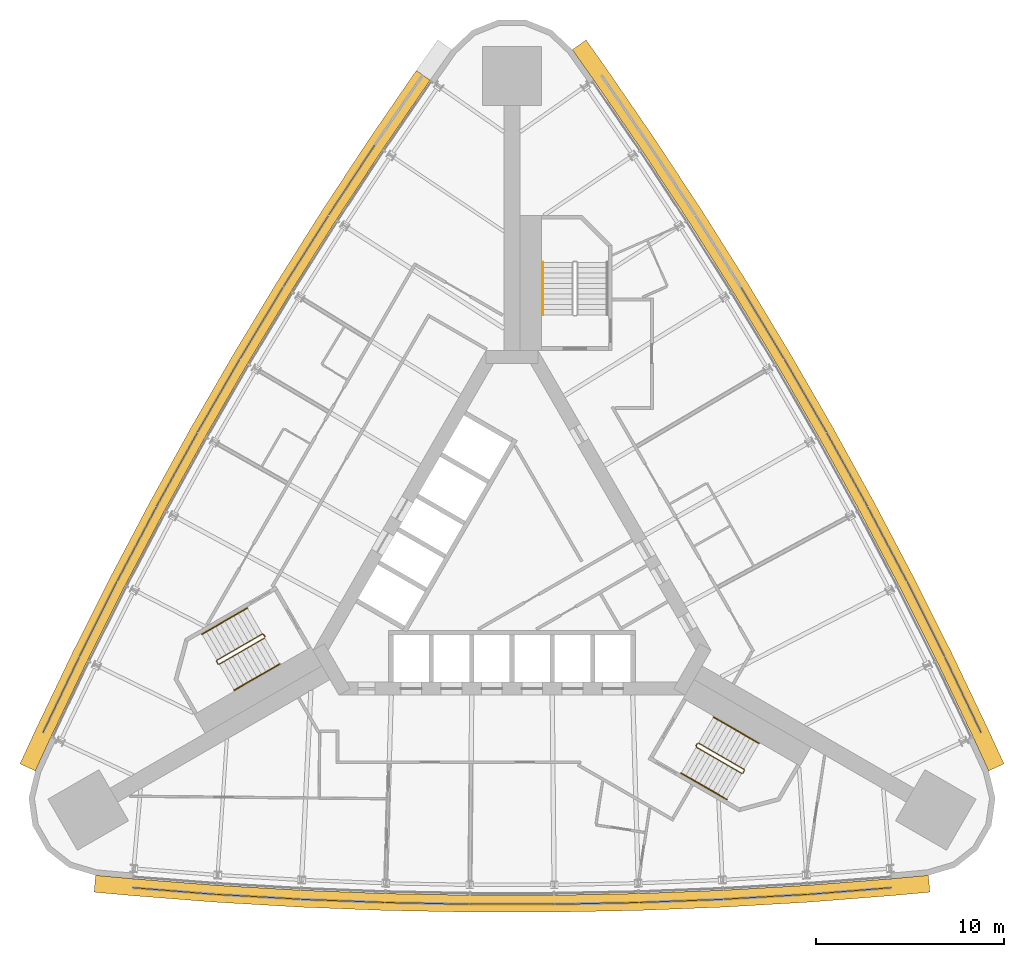
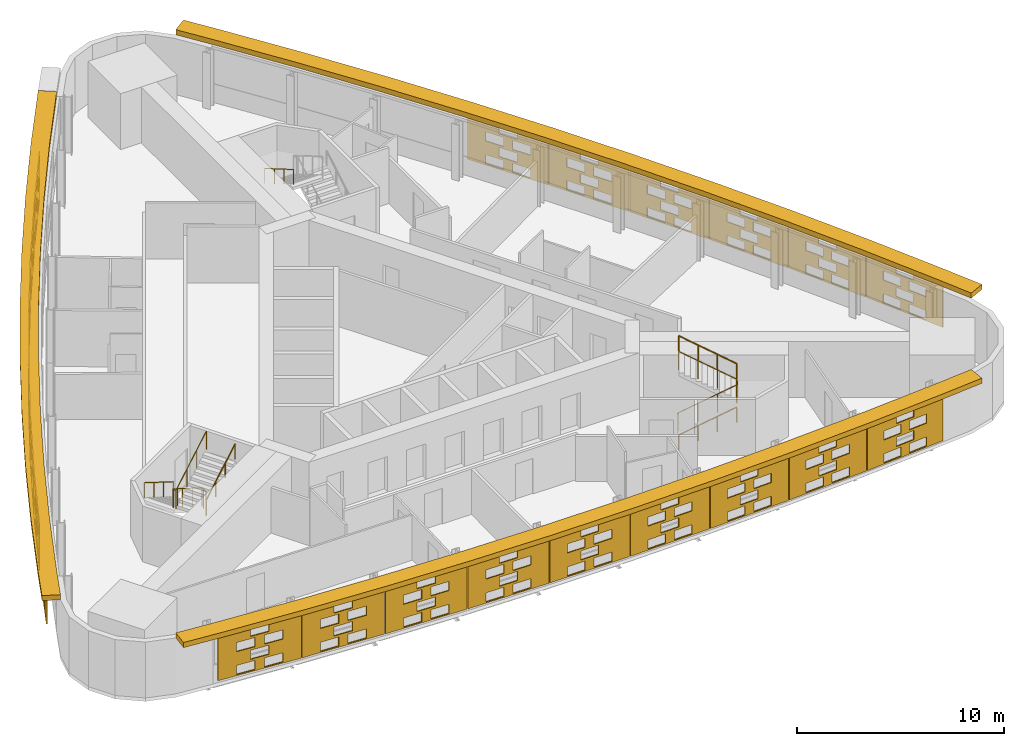
# One storey, part 12 of 13: 26 shading devices, 7 railings.
"""IFC4 building model written with IfcOpenShell, lengths in metres."""

import ifcopenshell
import ifcopenshell.guid

model = None  # the IFC model being written
_history = None  # IfcOwnerHistory: only IFC2X3 demands one
_inside = {}  # id of a spatial element -> (the spatial element, [elements in it])
_under = {}  # id of a project, library or spatial element -> (it, [spatial elements below it])
_declared = {}  # id of a project -> (the project, [libraries it declares])
_typed = {}  # id of a type object -> (the type object, [elements of that type])
_made_of = {}  # id of a material, layer set ... -> (it, [elements and type objects made of it])


def new_model(schema):
    """Start an empty IFC model of exactly this schema.

    Asked for "IFC4X3", IfcOpenShell would pick the latest addendum, in which some entities
    have other attributes; the version numbers below select the first issue.
    IFC2X3 requires an IfcOwnerHistory on every rooted entity: one is made here for all.
    """
    global model, _history
    if schema == "IFC4X3":
        model = ifcopenshell.file(schema_version=(4, 3, 0, 0))
    else:
        model = ifcopenshell.file(schema=schema)
    _inside.clear()
    _under.clear()
    _declared.clear()
    _typed.clear()
    _made_of.clear()
    _history = None
    if model.schema == "IFC2X3":
        org = make("IfcOrganization", Name="unknown")
        user = make(
            "IfcPersonAndOrganization",
            ThePerson=make("IfcPerson", FamilyName="unknown"),
            TheOrganization=org,
        )
        app = make(
            "IfcApplication",
            ApplicationDeveloper=org,
            Version="unknown",
            ApplicationFullName="unknown",
            ApplicationIdentifier="unknown",
        )
        _history = make(
            "IfcOwnerHistory",
            OwningUser=user,
            OwningApplication=app,
            ChangeAction="ADDED",
            CreationDate=0,
        )
    return model


def make(cls, **values):
    """One entity of the class cls with the attributes given. An attribute that is None is left unset."""
    return model.create_entity(
        cls, **{name: value for name, value in values.items() if value is not None}
    )


def rooted(cls, **values):
    """An entity with a GlobalId (a new one), such as an element, a storey or a relation."""
    return make(cls, GlobalId=ifcopenshell.guid.new(), OwnerHistory=_history, **values)


def si_unit(unit_type, name, prefix=None):
    """IfcSIUnit, for example si_unit("LENGTHUNIT", "METRE", prefix="MILLI")."""
    return make("IfcSIUnit", UnitType=unit_type, Prefix=prefix, Name=name)


def assignment(units):
    """IfcUnitAssignment: the units of a project."""
    return None if units is None else make("IfcUnitAssignment", Units=units)


def point(xyz):
    """IfcCartesianPoint."""
    return None if xyz is None else make("IfcCartesianPoint", Coordinates=xyz)


def direction(xyz):
    """IfcDirection."""
    return None if xyz is None else make("IfcDirection", DirectionRatios=xyz)


def frame(location, z_axis=None, x_axis=None):
    """IfcAxis2Placement3D, a coordinate frame: its origin and axes. An axis left out is left unset."""
    return make(
        "IfcAxis2Placement3D",
        Location=point(location),
        Axis=direction(z_axis),
        RefDirection=direction(x_axis),
    )


def frame_2d(location, x_axis=None):
    """IfcAxis2Placement2D, a coordinate frame in the plane: its origin and x axis."""
    return make(
        "IfcAxis2Placement2D", Location=point(location), RefDirection=direction(x_axis)
    )


def origin():
    """The frame at (0, 0, 0) with its axes left unset."""
    return frame((0.0, 0.0, 0.0))


def origin_2d():
    """The frame at (0, 0) in the plane with its x axis left unset."""
    return frame_2d((0.0, 0.0))


def place(relative_to, where):
    """IfcLocalPlacement: puts the frame where relative to a parent placement (None: the world)."""
    return make(
        "IfcLocalPlacement", PlacementRelTo=relative_to, RelativePlacement=where
    )


def context(
    kind, dimensions, precision=None, world=None, true_north=None, identifier=None
):
    """IfcGeometricRepresentationContext, for example the 3D "Model" context."""
    return make(
        "IfcGeometricRepresentationContext",
        ContextIdentifier=identifier,
        ContextType=kind,
        CoordinateSpaceDimension=dimensions,
        Precision=precision,
        WorldCoordinateSystem=world,
        TrueNorth=true_north,
    )


def subcontext(parent, identifier, kind, view, scale=None):
    """IfcGeometricRepresentationSubContext, for example "Body" below "Model"."""
    return make(
        "IfcGeometricRepresentationSubContext",
        ContextIdentifier=identifier,
        ContextType=kind,
        ParentContext=parent,
        TargetScale=scale,
        TargetView=view,
    )


def project(units=None, contexts=None):
    """IfcProject with its units and contexts."""
    return rooted(
        "IfcProject",
        Name="project",
        RepresentationContexts=contexts,
        UnitsInContext=assignment(units),
    )


def spatial(cls, under=None, at=None, **own):
    """A site, building, storey or space (cls), placed at a placement, below another one or the project."""
    s = rooted(cls, ObjectPlacement=at, **own)
    if under is not None:
        _under.setdefault(under.id(), (under, []))[1].append(s)
    return s


def polyline(points):
    """IfcPolyline through the points."""
    return make("IfcPolyline", Points=[point(p) for p in points])


def profile(cls, at=None, kind="AREA", **sizes):
    """A parametric profile (cls). Its sizes go by their IFC names, for example OverallWidth=200.0."""
    return make(cls, ProfileType=kind, Position=at, **sizes)


def circle(**sizes):
    """IfcCircleProfileDef."""
    return profile("IfcCircleProfileDef", **sizes)


def outline(outer, holes=None, kind="AREA"):
    """IfcArbitraryClosedProfileDef: a profile drawn as a closed curve; with holes, ...WithVoids."""
    if holes is None:
        return make("IfcArbitraryClosedProfileDef", ProfileType=kind, OuterCurve=outer)
    return make(
        "IfcArbitraryProfileDefWithVoids",
        ProfileType=kind,
        OuterCurve=outer,
        InnerCurves=holes,
    )


def extrude(swept, where, along, depth):
    """IfcExtrudedAreaSolid: the profile swept, set in the frame where, extruded along a direction by depth."""
    return make(
        "IfcExtrudedAreaSolid",
        SweptArea=swept,
        Position=where,
        ExtrudedDirection=direction(along),
        Depth=depth,
    )


def shape(context_of_items, identifier, shape_type, items):
    """IfcShapeRepresentation: the items that make up one representation, for example the "Body"."""
    return make(
        "IfcShapeRepresentation",
        ContextOfItems=context_of_items,
        RepresentationIdentifier=identifier,
        RepresentationType=shape_type,
        Items=items,
    )


def material(Name=None, Category=None):
    """IfcMaterial."""
    return make("IfcMaterial", Name=Name, Category=Category)


def material_profile(
    of_material, cross_section, Name=None, Category=None, Priority=None
):
    """IfcMaterialProfile: a cross section and its material."""
    return make(
        "IfcMaterialProfile",
        Name=Name,
        Material=of_material,
        Profile=cross_section,
        Priority=Priority,
        Category=Category,
    )


def profile_set(profiles, Name=None, composite=None):
    """IfcMaterialProfileSet."""
    return make(
        "IfcMaterialProfileSet",
        Name=Name,
        MaterialProfiles=profiles,
        CompositeProfile=composite,
    )


def made_of(thing, what):
    """Note that an element or type object is made of a material, layer set ...; save() writes the relation."""
    if what is not None:
        _made_of.setdefault(what.id(), (what, []))[1].append(thing)
    return thing


def type_object(cls, material=None, **own):
    """A type object (cls), such as IfcWallType, which elements share."""
    return made_of(rooted(cls, **own), material)


def element(
    cls,
    number,
    at=None,
    inside=None,
    cuts=None,
    type_object=None,
    material=None,
    context=None,
    identifier="Body",
    shape_type=None,
    held_by="IfcProductDefinitionShape",
    body=None,
    shapes=None,
    **own,
):
    """One element of the class cls, such as IfcWall. Its Tag is "e" and its number.

    at: its placement. inside: the storey or other place that contains it. cuts: it is an
    opening in that element (IfcRelVoidsElement). A single representation is given by context,
    identifier, shape_type and body (its items); several are given by shapes. held_by: the class
    of the entity that holds the representations. save() writes the other relations.
    """
    e = rooted(cls, Tag="e%d" % number, ObjectPlacement=at, **own)
    if body is not None:
        shapes = [shape(context, identifier, shape_type, body)]
    if shapes is not None:
        e.Representation = make(held_by, Representations=shapes)
    if inside is not None:
        _inside.setdefault(inside.id(), (inside, []))[1].append(e)
    if cuts is not None:
        rooted(
            "IfcRelVoidsElement", RelatingBuildingElement=cuts, RelatedOpeningElement=e
        )
    if type_object is not None:
        _typed.setdefault(type_object.id(), (type_object, []))[1].append(e)
    return made_of(e, material)


def aggregate(whole, parts):
    """IfcRelAggregates: a whole, such as a stair, and the parts it consists of."""
    return rooted("IfcRelAggregates", RelatingObject=whole, RelatedObjects=parts)


def save(model, path):
    """Write the relations noted so far, then the file.

    IfcRelAggregates (storeys below a building ...), IfcRelContainedInSpatialStructure (elements
    in a storey), IfcRelDefinesByType, IfcRelAssociatesMaterial and IfcRelDeclares: one each for
    every whole, place, type object, material and project.
    """
    for whole, parts in _under.values():
        aggregate(whole, parts)
    for where, things in _inside.values():
        rooted(
            "IfcRelContainedInSpatialStructure",
            RelatedElements=things,
            RelatingStructure=where,
        )
    for kind, things in _typed.values():
        rooted("IfcRelDefinesByType", RelatedObjects=things, RelatingType=kind)
    for what, things in _made_of.values():
        rooted("IfcRelAssociatesMaterial", RelatedObjects=things, RelatingMaterial=what)
    for by, libraries in _declared.values():
        rooted("IfcRelDeclares", RelatingContext=by, RelatedDefinitions=libraries)
    model.write(path)


model = new_model("IFC4")

# Units and contexts
model_context = context("Model", 3, precision=1e-05, world=origin(), true_north=direction((0.0, 1.0)))
body_context = subcontext(model_context, "Body", "Model", "MODEL_VIEW")
ifc_project = project(units=[si_unit("LENGTHUNIT", "METRE"), si_unit("AREAUNIT", "SQUARE_METRE"), si_unit("VOLUMEUNIT", "CUBIC_METRE"), si_unit("PLANEANGLEUNIT", "RADIAN"), si_unit("MASSUNIT", "GRAM", prefix="KILO")], contexts=[model_context])

# Site, building, storey
site_placement = place(None, origin())
site = spatial("IfcSite", under=ifc_project, at=site_placement, CompositionType="ELEMENT")
building_placement = place(site_placement, origin())
building = spatial("IfcBuilding", under=site, at=building_placement, Name="Noor Cloister Tower", CompositionType="ELEMENT")
storey_placement = place(building_placement, frame((0.0, 0.0, 83.39990234375)))
storey = spatial("IfcBuildingStorey", under=building, at=storey_placement, Name="L21", CompositionType="ELEMENT", Elevation=83.39990234375)

# Shading devices
ifc_material_1 = material(Name="Limestone", Category="masonry")
ifc_material_profile = material_profile(ifc_material_1, outline(polyline([(-2.22998046875, -1.35009765625), (2.22998046875, -1.35009765625), (2.22998046875, 1.35009765625), (-2.22998046875, 1.35009765625), (-2.22998046875, -1.35009765625)]), holes=[polyline([(-1.25, -1.282470703125), (-0.25, -1.282470703125), (-0.25, -0.742431640625), (-1.25, -0.742431640625), (-1.25, -1.282470703125)]), polyline([(0.25, -1.282470703125), (1.25, -1.282470703125), (1.25, -0.742431640625), (0.25, -0.742431640625), (0.25, -1.282470703125)]), polyline([(-0.5, -0.607421875), (0.5, -0.607421875), (0.5, -0.0673828125), (-0.5, -0.0673828125), (-0.5, -0.607421875)]), polyline([(-1.25, 0.0673828125), (-0.25, 0.0673828125), (-0.25, 0.607421875), (-1.25, 0.607421875), (-1.25, 0.0673828125)]), polyline([(0.25, 0.0673828125), (1.25, 0.0673828125), (1.25, 0.607421875), (0.25, 0.607421875), (0.25, 0.0673828125)]), polyline([(-0.5, 0.742431640625), (0.5, 0.742431640625), (0.5, 1.282470703125), (-0.5, 1.282470703125), (-0.5, 0.742431640625)])]), Name="Woven screen 28 percent open")
ifc_profile_set = profile_set([ifc_material_profile], Name="Limestone")
shading_device_type_1 = type_object("IfcShadingDeviceType", Name="SCREEN woven limestone 28 percent open", PredefinedType="USERDEFINED", material=ifc_profile_set)
for number, where, z_axis, x_axis, name in (
    (1, (-8.523681640625, 20.5302734375, 1.85009765625), (-0.83517086482, 0.549990569516, 0.0), (-0.549990569516, -0.83517086482, 0.0), "SCREEN L21 2"),
    (2, (-10.96533203125, 16.740234375, 1.85009765625), (-0.845003547232, 0.534760698973, 0.0), (-0.534760698973, -0.845003547232, 0.0), "SCREEN L21 3"),
):
    element("IfcShadingDevice", number, at=place(storey_placement, frame(where, z_axis=z_axis, x_axis=x_axis)), inside=storey, type_object=shading_device_type_1, Name=name, ObjectType="SCREEN", PredefinedType="USERDEFINED", context=body_context, shape_type="SweptSolid", body=[
        extrude(outline(polyline([(-2.22998046875, -1.35009765625), (2.22998046875, -1.35009765625), (2.22998046875, 1.35009765625), (-2.22998046875, 1.35009765625), (-2.22998046875, -1.35009765625)]), holes=[polyline([(-1.25, -1.282470703125), (-0.25, -1.282470703125), (-0.25, -0.742431640625), (-1.25, -0.742431640625), (-1.25, -1.282470703125)]), polyline([(0.25, -1.282470703125), (1.25, -1.282470703125), (1.25, -0.742431640625), (0.25, -0.742431640625), (0.25, -1.282470703125)]), polyline([(-0.5, -0.607421875), (0.5, -0.607421875), (0.5, -0.0673828125), (-0.5, -0.0673828125), (-0.5, -0.607421875)]), polyline([(-1.25, 0.0673828125), (-0.25, 0.0673828125), (-0.25, 0.607421875), (-1.25, 0.607421875), (-1.25, 0.0673828125)]), polyline([(0.25, 0.0673828125), (1.25, 0.0673828125), (1.25, 0.607421875), (0.25, 0.607421875), (0.25, 0.0673828125)]), polyline([(-0.5, 0.742431640625), (0.5, 0.742431640625), (0.5, 1.282470703125), (-0.5, 1.282470703125), (-0.5, 0.742431640625)])]), origin(), (0.0, 0.0, 1.0), 0.059814453125),
    ])
for number, where, z_axis, x_axis, name in (
    (3, (-13.33251953125, 12.9033203125, 1.85009765625), (-0.856775526833, 0.515689535108, 0.0), (-0.515689535108, -0.856775526833, 0.0), "SCREEN L21 4"),
    (4, (-15.624755859375, 9.02099609375, 1.85009765625), (-0.865982457891, 0.500074377092, 0.0), (-0.500074377092, -0.865982457891, 0.0), "SCREEN L21 5"),
    (5, (-17.8408203125, 5.0947265625, 1.85009765625), (-0.874923997532, 0.484260259099, 0.0), (-0.484260259099, -0.874923997532, 0.0), "SCREEN L21 6"),
    (6, (-19.97998046875, 1.1259765625, 1.85009765625), (-0.88447777995, 0.466582315111, 0.0), (-0.466582315111, -0.88447777995, 0.0), "SCREEN L21 7"),
    (7, (-22.04150390625, -2.883544921875, 1.85009765625), (-0.894427191, 0.4472135955, 0.0), (-0.4472135955, -0.894427191, 0.0), "SCREEN L21 8"),
):
    element("IfcShadingDevice", number, at=place(storey_placement, frame(where, z_axis=z_axis, x_axis=x_axis)), inside=storey, type_object=shading_device_type_1, Name=name, ObjectType="SCREEN", PredefinedType="USERDEFINED", context=body_context, shape_type="SweptSolid", body=[
        extrude(outline(polyline([(-2.22998046875, -1.35009765625), (2.22998046875, -1.35009765625), (2.22998046875, 1.35009765625), (-2.22998046875, 1.35009765625), (-2.22998046875, -1.35009765625)]), holes=[polyline([(-1.25, -1.282470703125), (-0.25, -1.282470703125), (-0.25, -0.742431640625), (-1.25, -0.742431640625), (-1.25, -1.282470703125)]), polyline([(0.25, -1.282470703125), (1.25, -1.282470703125), (1.25, -0.742431640625), (0.25, -0.742431640625), (0.25, -1.282470703125)]), polyline([(-0.5, -0.607421875), (0.5, -0.607421875), (0.5, -0.0673828125), (-0.5, -0.0673828125), (-0.5, -0.607421875)]), polyline([(-1.25, 0.0673828125), (-0.25, 0.0673828125), (-0.25, 0.607421875), (-1.25, 0.607421875), (-1.25, 0.0673828125)]), polyline([(0.25, 0.0673828125), (1.25, 0.0673828125), (1.25, 0.607421875), (0.25, 0.607421875), (0.25, 0.0673828125)]), polyline([(-0.5, 0.742431640625), (0.5, 0.742431640625), (0.5, 1.282470703125), (-0.5, 1.282470703125), (-0.5, 0.742431640625)])]), origin(), (0.0, 0.0, 1.0), 0.06005859375),
    ])
shading_device_1_placement = place(storey_placement, frame((-24.024658203125, -6.932373046875, 1.85009765625), z_axis=(-0.901650348454, 0.432465777991, 0.0), x_axis=(-0.432465777991, -0.901650348454, 0.0)))
element("IfcShadingDevice", 8, at=shading_device_1_placement, inside=storey, type_object=shading_device_type_1, Name="SCREEN L21 9", ObjectType="SCREEN", PredefinedType="USERDEFINED", context=body_context, shape_type="SweptSolid", body=[
    extrude(outline(polyline([(-2.22998046875, -1.35009765625), (2.22998046875, -1.35009765625), (2.22998046875, 1.35009765625), (-2.22998046875, 1.35009765625), (-2.22998046875, -1.35009765625)]), holes=[polyline([(-1.25, -1.282470703125), (-0.25, -1.282470703125), (-0.25, -0.742431640625), (-1.25, -0.742431640625), (-1.25, -1.282470703125)]), polyline([(0.25, -1.282470703125), (1.25, -1.282470703125), (1.25, -0.742431640625), (0.25, -0.742431640625), (0.25, -1.282470703125)]), polyline([(-0.5, -0.607421875), (0.5, -0.607421875), (0.5, -0.0673828125), (-0.5, -0.0673828125), (-0.5, -0.607421875)]), polyline([(-1.25, 0.0673828125), (-0.25, 0.0673828125), (-0.25, 0.607421875), (-1.25, 0.607421875), (-1.25, 0.0673828125)]), polyline([(0.25, 0.0673828125), (1.25, 0.0673828125), (1.25, 0.607421875), (0.25, 0.607421875), (0.25, 0.0673828125)]), polyline([(-0.5, 0.742431640625), (0.5, 0.742431640625), (0.5, 1.282470703125), (-0.5, 1.282470703125), (-0.5, 0.742431640625)])]), origin(), (0.0, 0.0, 1.0), 0.059814453125),
])
for number, where, z_axis, x_axis, name in (
    (9, (-18.015869140625, -17.339599609375, 1.85009765625), (-0.081362009455, -0.996684615823, 0.0), (0.996684615823, -0.081362009455, 0.0), "SCREEN L21 1"),
    (10, (-13.51806640625, -17.646728515625, 1.85009765625), (-0.056818631031, -0.998384516691, 0.0), (0.998384516691, -0.056818631031, 0.0), "SCREEN L21 2"),
    (11, (-9.014892578125, -17.8662109375, 1.85009765625), (-0.036560905851, -0.999331426586, 0.0), (0.999331426586, -0.036560905851, 0.0), "SCREEN L21 3"),
):
    element("IfcShadingDevice", number, at=place(storey_placement, frame(where, z_axis=z_axis, x_axis=x_axis)), inside=storey, type_object=shading_device_type_1, Name=name, ObjectType="SCREEN", PredefinedType="USERDEFINED", context=body_context, shape_type="SweptSolid", body=[
        extrude(outline(polyline([(-2.22998046875, -1.35009765625), (2.22998046875, -1.35009765625), (2.22998046875, 1.35009765625), (-2.22998046875, 1.35009765625), (-2.22998046875, -1.35009765625)]), holes=[polyline([(-1.25, -1.282470703125), (-0.25, -1.282470703125), (-0.25, -0.742431640625), (-1.25, -0.742431640625), (-1.25, -1.282470703125)]), polyline([(0.25, -1.282470703125), (1.25, -1.282470703125), (1.25, -0.742431640625), (0.25, -0.742431640625), (0.25, -1.282470703125)]), polyline([(-0.5, -0.607421875), (0.5, -0.607421875), (0.5, -0.0673828125), (-0.5, -0.0673828125), (-0.5, -0.607421875)]), polyline([(-1.25, 0.0673828125), (-0.25, 0.0673828125), (-0.25, 0.607421875), (-1.25, 0.607421875), (-1.25, 0.0673828125)]), polyline([(0.25, 0.0673828125), (1.25, 0.0673828125), (1.25, 0.607421875), (0.25, 0.607421875), (0.25, 0.0673828125)]), polyline([(-0.5, 0.742431640625), (0.5, 0.742431640625), (0.5, 1.282470703125), (-0.5, 1.282470703125), (-0.5, 0.742431640625)])]), origin(), (0.0, 0.0, 1.0), 0.06005859375),
    ])
for number, where, z_axis, x_axis, name in (
    (12, (-4.50830078125, -17.998046875, 1.85009765625), (-0.020403914663, -0.999791818463, 0.0), (0.999791818463, -0.020403914663, 0.0), "SCREEN L21 4"),
    (13, (0.0, -18.0419921875, 1.85009765625), (0.0, -1.0, 0.0), (1.0, 0.0, 0.0), "SCREEN L21 5"),
    (14, (4.50830078125, -17.998046875, 1.85009765625), (0.020403914663, -0.999791818463, 0.0), (0.999791818463, 0.020403914663, 0.0), "SCREEN L21 6"),
):
    element("IfcShadingDevice", number, at=place(storey_placement, frame(where, z_axis=z_axis, x_axis=x_axis)), inside=storey, type_object=shading_device_type_1, Name=name, ObjectType="SCREEN", PredefinedType="USERDEFINED", context=body_context, shape_type="SweptSolid", body=[
        extrude(outline(polyline([(-2.22998046875, -1.35009765625), (2.22998046875, -1.35009765625), (2.22998046875, 1.35009765625), (-2.22998046875, 1.35009765625), (-2.22998046875, -1.35009765625)]), holes=[polyline([(-1.25, -1.282470703125), (-0.25, -1.282470703125), (-0.25, -0.742431640625), (-1.25, -0.742431640625), (-1.25, -1.282470703125)]), polyline([(0.25, -1.282470703125), (1.25, -1.282470703125), (1.25, -0.742431640625), (0.25, -0.742431640625), (0.25, -1.282470703125)]), polyline([(-0.5, -0.607421875), (0.5, -0.607421875), (0.5, -0.0673828125), (-0.5, -0.0673828125), (-0.5, -0.607421875)]), polyline([(-1.25, 0.0673828125), (-0.25, 0.0673828125), (-0.25, 0.607421875), (-1.25, 0.607421875), (-1.25, 0.0673828125)]), polyline([(0.25, 0.0673828125), (1.25, 0.0673828125), (1.25, 0.607421875), (0.25, 0.607421875), (0.25, 0.0673828125)]), polyline([(-0.5, 0.742431640625), (0.5, 0.742431640625), (0.5, 1.282470703125), (-0.5, 1.282470703125), (-0.5, 0.742431640625)])]), origin(), (0.0, 0.0, 1.0), 0.059814453125),
    ])
for number, where, z_axis, x_axis, name in (
    (15, (9.014892578125, -17.8662109375, 1.85009765625), (0.036560905851, -0.999331426586, 0.0), (0.999331426586, 0.036560905851, 0.0), "SCREEN L21 7"),
    (16, (13.51806640625, -17.646728515625, 1.85009765625), (0.056818631031, -0.998384516691, 0.0), (0.998384516691, 0.056818631031, 0.0), "SCREEN L21 8"),
    (17, (18.015869140625, -17.339599609375, 1.85009765625), (0.081362009455, -0.996684615823, 0.0), (0.996684615823, 0.081362009455, 0.0), "SCREEN L21 9"),
):
    element("IfcShadingDevice", number, at=place(storey_placement, frame(where, z_axis=z_axis, x_axis=x_axis)), inside=storey, type_object=shading_device_type_1, Name=name, ObjectType="SCREEN", PredefinedType="USERDEFINED", context=body_context, shape_type="SweptSolid", body=[
        extrude(outline(polyline([(-2.22998046875, -1.35009765625), (2.22998046875, -1.35009765625), (2.22998046875, 1.35009765625), (-2.22998046875, 1.35009765625), (-2.22998046875, -1.35009765625)]), holes=[polyline([(-1.25, -1.282470703125), (-0.25, -1.282470703125), (-0.25, -0.742431640625), (-1.25, -0.742431640625), (-1.25, -1.282470703125)]), polyline([(0.25, -1.282470703125), (1.25, -1.282470703125), (1.25, -0.742431640625), (0.25, -0.742431640625), (0.25, -1.282470703125)]), polyline([(-0.5, -0.607421875), (0.5, -0.607421875), (0.5, -0.0673828125), (-0.5, -0.0673828125), (-0.5, -0.607421875)]), polyline([(-1.25, 0.0673828125), (-0.25, 0.0673828125), (-0.25, 0.607421875), (-1.25, 0.607421875), (-1.25, 0.0673828125)]), polyline([(0.25, 0.0673828125), (1.25, 0.0673828125), (1.25, 0.607421875), (0.25, 0.607421875), (0.25, 0.0673828125)]), polyline([(-0.5, 0.742431640625), (0.5, 0.742431640625), (0.5, 1.282470703125), (-0.5, 1.282470703125), (-0.5, 0.742431640625)])]), origin(), (0.0, 0.0, 1.0), 0.06005859375),
    ])
shading_device_2_placement = place(storey_placement, frame((24.024658203125, -6.932373046875, 1.85009765625), z_axis=(0.901650348454, 0.432465777991, 0.0), x_axis=(-0.432465777991, 0.901650348454, 0.0)))
element("IfcShadingDevice", 18, at=shading_device_2_placement, inside=storey, type_object=shading_device_type_1, Name="SCREEN L21 1", ObjectType="SCREEN", PredefinedType="USERDEFINED", context=body_context, shape_type="SweptSolid", body=[
    extrude(outline(polyline([(-2.22998046875, -1.35009765625), (2.22998046875, -1.35009765625), (2.22998046875, 1.35009765625), (-2.22998046875, 1.35009765625), (-2.22998046875, -1.35009765625)]), holes=[polyline([(-1.25, -1.282470703125), (-0.25, -1.282470703125), (-0.25, -0.742431640625), (-1.25, -0.742431640625), (-1.25, -1.282470703125)]), polyline([(0.25, -1.282470703125), (1.25, -1.282470703125), (1.25, -0.742431640625), (0.25, -0.742431640625), (0.25, -1.282470703125)]), polyline([(-0.5, -0.607421875), (0.5, -0.607421875), (0.5, -0.0673828125), (-0.5, -0.0673828125), (-0.5, -0.607421875)]), polyline([(-1.25, 0.0673828125), (-0.25, 0.0673828125), (-0.25, 0.607421875), (-1.25, 0.607421875), (-1.25, 0.0673828125)]), polyline([(0.25, 0.0673828125), (1.25, 0.0673828125), (1.25, 0.607421875), (0.25, 0.607421875), (0.25, 0.0673828125)]), polyline([(-0.5, 0.742431640625), (0.5, 0.742431640625), (0.5, 1.282470703125), (-0.5, 1.282470703125), (-0.5, 0.742431640625)])]), origin(), (0.0, 0.0, 1.0), 0.059814453125),
])
for number, where, z_axis, x_axis, name in (
    (19, (22.04150390625, -2.883544921875, 1.85009765625), (0.894427191, 0.4472135955, 0.0), (-0.4472135955, 0.894427191, 0.0), "SCREEN L21 2"),
    (20, (19.97998046875, 1.1259765625, 1.85009765625), (0.88447777995, 0.466582315111, 0.0), (-0.466582315111, 0.88447777995, 0.0), "SCREEN L21 3"),
    (21, (17.8408203125, 5.0947265625, 1.85009765625), (0.874923997532, 0.484260259099, 0.0), (-0.484260259099, 0.874923997532, 0.0), "SCREEN L21 4"),
    (22, (15.624755859375, 9.02099609375, 1.85009765625), (0.865982457891, 0.500074377092, 0.0), (-0.500074377092, 0.865982457891, 0.0), "SCREEN L21 5"),
    (23, (13.33251953125, 12.9033203125, 1.85009765625), (0.856775526833, 0.515689535108, 0.0), (-0.515689535108, 0.856775526833, 0.0), "SCREEN L21 6"),
):
    element("IfcShadingDevice", number, at=place(storey_placement, frame(where, z_axis=z_axis, x_axis=x_axis)), inside=storey, type_object=shading_device_type_1, Name=name, ObjectType="SCREEN", PredefinedType="USERDEFINED", context=body_context, shape_type="SweptSolid", body=[
        extrude(outline(polyline([(-2.22998046875, -1.35009765625), (2.22998046875, -1.35009765625), (2.22998046875, 1.35009765625), (-2.22998046875, 1.35009765625), (-2.22998046875, -1.35009765625)]), holes=[polyline([(-1.25, -1.282470703125), (-0.25, -1.282470703125), (-0.25, -0.742431640625), (-1.25, -0.742431640625), (-1.25, -1.282470703125)]), polyline([(0.25, -1.282470703125), (1.25, -1.282470703125), (1.25, -0.742431640625), (0.25, -0.742431640625), (0.25, -1.282470703125)]), polyline([(-0.5, -0.607421875), (0.5, -0.607421875), (0.5, -0.0673828125), (-0.5, -0.0673828125), (-0.5, -0.607421875)]), polyline([(-1.25, 0.0673828125), (-0.25, 0.0673828125), (-0.25, 0.607421875), (-1.25, 0.607421875), (-1.25, 0.0673828125)]), polyline([(0.25, 0.0673828125), (1.25, 0.0673828125), (1.25, 0.607421875), (0.25, 0.607421875), (0.25, 0.0673828125)]), polyline([(-0.5, 0.742431640625), (0.5, 0.742431640625), (0.5, 1.282470703125), (-0.5, 1.282470703125), (-0.5, 0.742431640625)])]), origin(), (0.0, 0.0, 1.0), 0.06005859375),
    ])
ifc_material_2 = material(Name="Limestone", Category="masonry")
shading_device_type_2 = type_object("IfcShadingDeviceType", Name="SUNSHADE limestone band 900", PredefinedType="USERDEFINED", material=ifc_material_2)
shading_device_3_placement = place(storey_placement, frame((0.0, 0.0, 3.300048828125)))
element("IfcShadingDevice", 24, at=shading_device_3_placement, inside=storey, type_object=shading_device_type_2, Name="SUNSHADE L21 1", ObjectType="SUNSHADE", PredefinedType="USERDEFINED", context=body_context, shape_type="SweptSolid", body=[
    extrude(outline(polyline([(-5.1064453125, 26.3818359375), (-7.65771484375, 22.66455078125), (-10.14111328125, 18.890869140625), (-12.550537109375, 15.069580078125), (-14.885009765625, 11.2021484375), (-17.143798828125, 7.289794921875), (-19.325927734375, 3.334228515625), (-21.430419921875, -0.662841796875), (-23.456787109375, -4.700439453125), (-25.403076171875, -8.7744140625), (-26.2373046875, -10.585205078125), (-25.419921875, -10.961669921875), (-24.58837890625, -9.15673828125), (-22.648681640625, -5.09619140625), (-20.630126953125, -1.074462890625), (-18.53369140625, 2.9072265625), (-16.360107421875, 6.847412109375), (-14.110107421875, 10.744384765625), (-11.78466796875, 14.596923828125), (-9.384521484375, 18.4033203125), (-6.910888671875, 22.162353515625), (-4.3642578125, 25.87255859375), (-5.1064453125, 26.3818359375)])), origin(), (0.0, 0.0, 1.0), 0.300048828125),
])
shading_device_4_placement = place(storey_placement, frame((0.0, 0.0, 3.300048828125)))
element("IfcShadingDevice", 25, at=shading_device_4_placement, inside=storey, type_object=shading_device_type_2, Name="SUNSHADE L21 2", ObjectType="SUNSHADE", PredefinedType="USERDEFINED", context=body_context, shape_type="SweptSolid", body=[
    extrude(outline(polyline([(-22.28564453125, -17.429443359375), (-20.300537109375, -17.612548828125), (-15.799072265625, -17.964111328125), (-11.289306640625, -18.22802734375), (-6.775390625, -18.40380859375), (-2.2587890625, -18.491943359375), (2.2587890625, -18.491943359375), (6.775390625, -18.40380859375), (11.289306640625, -18.22802734375), (15.799072265625, -17.964111328125), (20.300537109375, -17.612548828125), (22.28564453125, -17.429443359375), (22.203125, -16.533447265625), (20.22412109375, -16.7158203125), (15.73779296875, -17.066162109375), (11.24560546875, -17.328857421875), (6.7490234375, -17.504150390625), (2.25, -17.591796875), (-2.25, -17.591796875), (-6.7490234375, -17.504150390625), (-11.24560546875, -17.328857421875), (-15.73779296875, -17.066162109375), (-20.22412109375, -16.7158203125), (-22.203125, -16.533447265625), (-22.28564453125, -17.429443359375)])), origin(), (0.0, 0.0, 1.0), 0.300048828125),
])
shading_device_5_placement = place(storey_placement, frame((0.0, 0.0, 3.300048828125)))
element("IfcShadingDevice", 26, at=shading_device_5_placement, inside=storey, type_object=shading_device_type_2, Name="SUNSHADE L21 3", ObjectType="SUNSHADE", PredefinedType="USERDEFINED", context=body_context, shape_type="SweptSolid", body=[
    extrude(outline(polyline([(26.2373046875, -10.585205078125), (25.403076171875, -8.7744140625), (23.456787109375, -4.700439453125), (21.430419921875, -0.662841796875), (19.325927734375, 3.334228515625), (17.143798828125, 7.289794921875), (14.885009765625, 11.2021484375), (12.550537109375, 15.069580078125), (10.14111328125, 18.890869140625), (7.65771484375, 22.66455078125), (5.102783203125, 26.386962890625), (3.95166015625, 28.0146484375), (3.216796875, 27.4951171875), (4.3642578125, 25.87255859375), (6.910888671875, 22.162353515625), (9.384521484375, 18.4033203125), (11.78466796875, 14.596923828125), (14.110107421875, 10.744384765625), (16.360107421875, 6.847412109375), (18.53369140625, 2.9072265625), (20.630126953125, -1.074462890625), (22.648681640625, -5.09619140625), (24.58837890625, -9.15673828125), (25.419921875, -10.961669921875), (26.2373046875, -10.585205078125)])), origin(), (0.0, 0.0, 1.0), 0.300048828125),
])

# Railings
ifc_material_3 = material(Name="Stainless steel", Category="steel")
railing_type_1 = type_object("IfcRailingType", Name="Stair guard 1100", PredefinedType="GUARDRAIL", material=ifc_material_3)
railing_1_placement = place(storey_placement, frame((-13.241455078125, -3.677734375, 0.0)))
element("IfcRailing", 27, at=railing_1_placement, inside=storey, type_object=railing_type_1, Name="Stair guard ST2 L21", PredefinedType="GUARDRAIL", context=body_context, shape_type="SweptSolid", body=[
    extrude(circle(Radius=0.02392578125, at=origin_2d()), frame((0.0, 0.0, 1.076171875), z_axis=(0.499112439033, -0.866537231285, 0.0), x_axis=(0.866537231285, 0.499112439033, 0.0)), (0.0, 0.0, 1.0), 0.150146484375),
    extrude(circle(Radius=0.02392578125, at=origin_2d()), frame((0.074951171875, -0.130126953125, 1.076171875), z_axis=(-0.544251820729, 0.562795323991, 0.622134534428), x_axis=(-0.718850276695, -0.695164929852, 0.0)), (0.0, 0.0, 1.0), 0.263427734375),
    extrude(circle(Radius=0.02392578125, at=origin_2d()), frame((-0.068359375, 0.01806640625, 1.23974609375), z_axis=(-0.74771821388, -0.431677027627, 0.504551698492), x_axis=(0.49998411664, -0.866034573852, 0.0)), (0.0, 0.0, 1.0), 3.242919921875),
    extrude(circle(Radius=0.02392578125, at=origin_2d()), frame((-2.4931640625, -1.3818359375, 2.8759765625), z_axis=(-0.258736085224, -0.965948051503, 0.0), x_axis=(0.965948051503, -0.258736085224, 0.0)), (0.0, 0.0, 1.0), 0.07080078125),
    extrude(circle(Radius=0.02392578125, at=origin_2d()), frame((-2.511474609375, -1.4501953125, 2.8759765625), z_axis=(0.499816412211, -0.866131372301, 0.0), x_axis=(0.866131372301, 0.499816412211, 0.0)), (0.0, 0.0, 1.0), 0.14990234375),
    extrude(circle(Radius=0.02392578125, at=origin_2d()), frame((-2.4365234375, -1.580078125, 2.8759765625), z_axis=(0.383552647116, -0.102737316192, 0.917786691313), x_axis=(0.258736085224, 0.965948051503, 0.0)), (0.0, 0.0, 1.0), 0.17822265625),
    extrude(circle(Radius=0.02392578125, at=origin_2d()), frame((-2.3681640625, -1.598388671875, 3.03955078125), z_axis=(0.747665513933, 0.431721881032, 0.504591415616), x_axis=(-0.500049511043, 0.865996816683, 0.0)), (0.0, 0.0, 1.0), 3.2431640625),
    extrude(circle(Radius=0.02099609375, at=origin_2d()), origin(), (0.0, 0.0, 1.0), 1.052001953125),
    extrude(circle(Radius=0.02099609375, at=origin_2d()), frame((0.074951171875, -0.130126953125, 0.0)), (0.0, 0.0, 1.0), 1.052001953125),
    extrude(circle(Radius=0.02099609375, at=origin_2d()), frame((-0.068359375, 0.01806640625, 0.163818359375)), (0.0, 0.0, 1.0), 1.052001953125),
    extrude(circle(Radius=0.02099609375, at=origin_2d()), frame((-0.876708984375, -0.448486328125, 0.709228515625)), (0.0, 0.0, 1.0), 1.052001953125),
    extrude(circle(Radius=0.02099609375, at=origin_2d()), frame((-1.684814453125, -0.915283203125, 1.254638671875)), (0.0, 0.0, 1.0), 1.052001953125),
    extrude(circle(Radius=0.02099609375, at=origin_2d()), frame((-2.4931640625, -1.3818359375, 1.800048828125)), (0.0, 0.0, 1.0), 1.052001953125),
    extrude(circle(Radius=0.02099609375, at=origin_2d()), frame((-2.511474609375, -1.4501953125, 1.800048828125)), (0.0, 0.0, 1.0), 1.052001953125),
    extrude(circle(Radius=0.02099609375, at=origin_2d()), frame((-2.4365234375, -1.580078125, 1.800048828125)), (0.0, 0.0, 1.0), 1.052001953125),
    extrude(circle(Radius=0.02099609375, at=origin_2d()), frame((-2.3681640625, -1.598388671875, 1.963623046875)), (0.0, 0.0, 1.0), 1.052001953125),
    extrude(circle(Radius=0.02099609375, at=origin_2d()), frame((-1.559814453125, -1.131591796875, 2.509033203125)), (0.0, 0.0, 1.0), 1.052001953125),
    extrude(circle(Radius=0.02099609375, at=origin_2d()), frame((-0.751708984375, -0.6650390625, 3.0546875)), (0.0, 0.0, 1.0), 1.052001953125),
    extrude(circle(Radius=0.02099609375, at=origin_2d()), frame((0.056640625, -0.1982421875, 3.60009765625)), (0.0, 0.0, 1.0), 1.052001953125),
])
railing_2_placement = place(storey_placement, frame((9.805908203125, -9.628662109375, 0.0)))
element("IfcRailing", 28, at=railing_2_placement, inside=storey, type_object=railing_type_1, Name="Stair guard ST3 L21", PredefinedType="GUARDRAIL", context=body_context, shape_type="SweptSolid", body=[
    extrude(circle(Radius=0.02392578125, at=origin_2d()), frame((0.0, 0.0, 1.076171875), z_axis=(0.499112439033, 0.866537231285, 0.0), x_axis=(-0.866537231285, 0.499112439033, 0.0)), (0.0, 0.0, 1.0), 0.150146484375),
    extrude(circle(Radius=0.02392578125, at=origin_2d()), frame((0.074951171875, 0.130126953125, 1.076171875), z_axis=(-0.215090770512, -0.752817696793, 0.622094426784), x_axis=(0.961523947641, -0.274721127897, 0.0)), (0.0, 0.0, 1.0), 0.263427734375),
    extrude(circle(Radius=0.02392578125, at=origin_2d()), frame((0.018310546875, -0.068115234375, 1.23974609375), z_axis=(0.747693913401, -0.431738279637, 0.504535300807), x_axis=(0.500049511043, 0.865996816683, 0.0)), (0.0, 0.0, 1.0), 3.2431640625),
    extrude(circle(Radius=0.02392578125, at=origin_2d()), frame((2.443115234375, -1.46826171875, 2.8759765625), z_axis=(0.965948051503, 0.258736085224, 0.0), x_axis=(-0.258736085224, 0.965948051503, 0.0)), (0.0, 0.0, 1.0), 0.07080078125),
    extrude(circle(Radius=0.02392578125, at=origin_2d()), frame((2.511474609375, -1.449951171875, 2.8759765625), z_axis=(0.499816412211, 0.866131372301, 0.0), x_axis=(-0.866131372301, 0.499816412211, 0.0)), (0.0, 0.0, 1.0), 0.14990234375),
    extrude(circle(Radius=0.02392578125, at=origin_2d()), frame((2.58642578125, -1.320068359375, 2.8759765625), z_axis=(-0.102737316192, 0.383552647116, 0.917786691313), x_axis=(-0.965948051503, -0.258736085224, 0.0)), (0.0, 0.0, 1.0), 0.17822265625),
    extrude(circle(Radius=0.02392578125, at=origin_2d()), frame((2.568115234375, -1.251708984375, 3.03955078125), z_axis=(-0.747689811644, 0.431660630283, 0.504607813879), x_axis=(-0.49998411664, -0.866034573852, 0.0)), (0.0, 0.0, 1.0), 3.2431640625),
    extrude(circle(Radius=0.02099609375, at=origin_2d()), origin(), (0.0, 0.0, 1.0), 1.052001953125),
    extrude(circle(Radius=0.02099609375, at=origin_2d()), frame((0.074951171875, 0.130126953125, 0.0)), (0.0, 0.0, 1.0), 1.052001953125),
    extrude(circle(Radius=0.02099609375, at=origin_2d()), frame((0.018310546875, -0.068115234375, 0.163818359375)), (0.0, 0.0, 1.0), 1.052001953125),
    extrude(circle(Radius=0.02099609375, at=origin_2d()), frame((0.82666015625, -0.534912109375, 0.709228515625)), (0.0, 0.0, 1.0), 1.052001953125),
    extrude(circle(Radius=0.02099609375, at=origin_2d()), frame((1.634765625, -1.00146484375, 1.254638671875)), (0.0, 0.0, 1.0), 1.052001953125),
    extrude(circle(Radius=0.02099609375, at=origin_2d()), frame((2.443115234375, -1.46826171875, 1.800048828125)), (0.0, 0.0, 1.0), 1.052001953125),
    extrude(circle(Radius=0.02099609375, at=origin_2d()), frame((2.511474609375, -1.449951171875, 1.800048828125)), (0.0, 0.0, 1.0), 1.052001953125),
    extrude(circle(Radius=0.02099609375, at=origin_2d()), frame((2.58642578125, -1.320068359375, 1.800048828125)), (0.0, 0.0, 1.0), 1.052001953125),
    extrude(circle(Radius=0.02099609375, at=origin_2d()), frame((2.568115234375, -1.251708984375, 1.963623046875)), (0.0, 0.0, 1.0), 1.052001953125),
    extrude(circle(Radius=0.02099609375, at=origin_2d()), frame((1.759765625, -0.78515625, 2.509033203125)), (0.0, 0.0, 1.0), 1.052001953125),
    extrude(circle(Radius=0.02099609375, at=origin_2d()), frame((0.95166015625, -0.318359375, 3.0546875)), (0.0, 0.0, 1.0), 1.052001953125),
    extrude(circle(Radius=0.02099609375, at=origin_2d()), frame((0.143310546875, 0.148193359375, 3.60009765625)), (0.0, 0.0, 1.0), 1.052001953125),
])
ifc_material_4 = material(Name="Stainless steel", Category="steel")
railing_type_2 = type_object("IfcRailingType", Name="Stair handrail 900", PredefinedType="HANDRAIL", material=ifc_material_4)
railing_3_placement = place(storey_placement, frame((1.6357421875, 16.156494140625, 1.963623046875)))
element("IfcRailing", 29, at=railing_3_placement, inside=storey, type_object=railing_type_2, Name="Stair handrail ST1 L21 2", PredefinedType="HANDRAIL", context=body_context, shape_type="SweptSolid", body=[
    extrude(circle(Radius=0.02392578125, at=origin_2d()), frame((0.0, 0.0, 0.8759765625), z_axis=(0.0, -0.863360870873, 0.504586966384), x_axis=(1.0, 0.0, 0.0)), (0.0, 0.0, 1.0), 3.2431640625),
    extrude(circle(Radius=0.02099609375, at=origin_2d()), origin(), (0.0, 0.0, 1.0), 0.851806640625),
    extrude(circle(Radius=0.02099609375, at=origin_2d()), frame((0.0, -0.933349609375, 0.54541015625)), (0.0, 0.0, 1.0), 0.851806640625),
    extrude(circle(Radius=0.02099609375, at=origin_2d()), frame((0.0, -1.86669921875, 1.091064453125)), (0.0, 0.0, 1.0), 0.851806640625),
    extrude(circle(Radius=0.02099609375, at=origin_2d()), frame((0.0, -2.800048828125, 1.636474609375)), (0.0, 0.0, 1.0), 0.851806640625),
])
railing_4_placement = place(storey_placement, frame((-14.10986328125, -2.27392578125, 0.163818359375)))
element("IfcRailing", 30, at=railing_4_placement, inside=storey, type_object=railing_type_2, Name="Stair handrail ST2 L21 1", PredefinedType="HANDRAIL", context=body_context, shape_type="SweptSolid", body=[
    extrude(circle(Radius=0.02392578125, at=origin_2d()), frame((0.0, 0.0, 0.8759765625), z_axis=(-0.74771821388, -0.431677027627, 0.504551698492), x_axis=(0.49998411664, -0.866034573852, 0.0)), (0.0, 0.0, 1.0), 3.242919921875),
    extrude(circle(Radius=0.02099609375, at=origin_2d()), origin(), (0.0, 0.0, 1.0), 0.851806640625),
    extrude(circle(Radius=0.02099609375, at=origin_2d()), frame((-0.808349609375, -0.466552734375, 0.54541015625)), (0.0, 0.0, 1.0), 0.851806640625),
    extrude(circle(Radius=0.02099609375, at=origin_2d()), frame((-1.616455078125, -0.933349609375, 1.0908203125)), (0.0, 0.0, 1.0), 0.851806640625),
    extrude(circle(Radius=0.02099609375, at=origin_2d()), frame((-2.4248046875, -1.39990234375, 1.63623046875)), (0.0, 0.0, 1.0), 0.851806640625),
])
railing_5_placement = place(storey_placement, frame((-14.8095703125, -6.66162109375, 1.963623046875)))
element("IfcRailing", 31, at=railing_5_placement, inside=storey, type_object=railing_type_2, Name="Stair handrail ST2 L21 2", PredefinedType="HANDRAIL", context=body_context, shape_type="SweptSolid", body=[
    extrude(circle(Radius=0.02392578125, at=origin_2d()), frame((0.0, 0.0, 0.8759765625), z_axis=(0.747689811644, 0.431660630283, 0.504607813879), x_axis=(-0.49998411664, 0.866034573852, 0.0)), (0.0, 0.0, 1.0), 3.2431640625),
    extrude(circle(Radius=0.02099609375, at=origin_2d()), origin(), (0.0, 0.0, 1.0), 0.851806640625),
    extrude(circle(Radius=0.02099609375, at=origin_2d()), frame((0.808349609375, 0.466552734375, 0.54541015625)), (0.0, 0.0, 1.0), 0.851806640625),
    extrude(circle(Radius=0.02099609375, at=origin_2d()), frame((1.616455078125, 0.933349609375, 1.091064453125)), (0.0, 0.0, 1.0), 0.851806640625),
    extrude(circle(Radius=0.02099609375, at=origin_2d()), frame((2.4248046875, 1.39990234375, 1.636474609375)), (0.0, 0.0, 1.0), 0.851806640625),
])
railing_6_placement = place(storey_placement, frame((9.024169921875, -11.08251953125, 0.163818359375)))
element("IfcRailing", 32, at=railing_6_placement, inside=storey, type_object=railing_type_2, Name="Stair handrail ST3 L21 1", PredefinedType="HANDRAIL", context=body_context, shape_type="SweptSolid", body=[
    extrude(circle(Radius=0.02392578125, at=origin_2d()), frame((0.0, 0.0, 0.8759765625), z_axis=(0.74771821388, -0.431677027627, 0.504551698492), x_axis=(0.49998411664, 0.866034573852, 0.0)), (0.0, 0.0, 1.0), 3.242919921875),
    extrude(circle(Radius=0.02099609375, at=origin_2d()), origin(), (0.0, 0.0, 1.0), 0.851806640625),
    extrude(circle(Radius=0.02099609375, at=origin_2d()), frame((0.808349609375, -0.466552734375, 0.54541015625)), (0.0, 0.0, 1.0), 0.851806640625),
    extrude(circle(Radius=0.02099609375, at=origin_2d()), frame((1.616455078125, -0.933349609375, 1.0908203125)), (0.0, 0.0, 1.0), 0.851806640625),
    extrude(circle(Radius=0.02099609375, at=origin_2d()), frame((2.4248046875, -1.39990234375, 1.63623046875)), (0.0, 0.0, 1.0), 0.851806640625),
])
railing_7_placement = place(storey_placement, frame((13.174072265625, -9.49462890625, 1.963623046875)))
element("IfcRailing", 33, at=railing_7_placement, inside=storey, type_object=railing_type_2, Name="Stair handrail ST3 L21 2", PredefinedType="HANDRAIL", context=body_context, shape_type="SweptSolid", body=[
    extrude(circle(Radius=0.02392578125, at=origin_2d()), frame((0.0, 0.0, 0.8759765625), z_axis=(-0.747689811644, 0.431660630283, 0.504607813879), x_axis=(-0.49998411664, -0.866034573852, 0.0)), (0.0, 0.0, 1.0), 3.2431640625),
    extrude(circle(Radius=0.02099609375, at=origin_2d()), origin(), (0.0, 0.0, 1.0), 0.851806640625),
    extrude(circle(Radius=0.02099609375, at=origin_2d()), frame((-0.808349609375, 0.466552734375, 0.54541015625)), (0.0, 0.0, 1.0), 0.851806640625),
    extrude(circle(Radius=0.02099609375, at=origin_2d()), frame((-1.616455078125, 0.933349609375, 1.091064453125)), (0.0, 0.0, 1.0), 0.851806640625),
    extrude(circle(Radius=0.02099609375, at=origin_2d()), frame((-2.4248046875, 1.39990234375, 1.636474609375)), (0.0, 0.0, 1.0), 0.851806640625),
])

save(model, "model.ifc")
